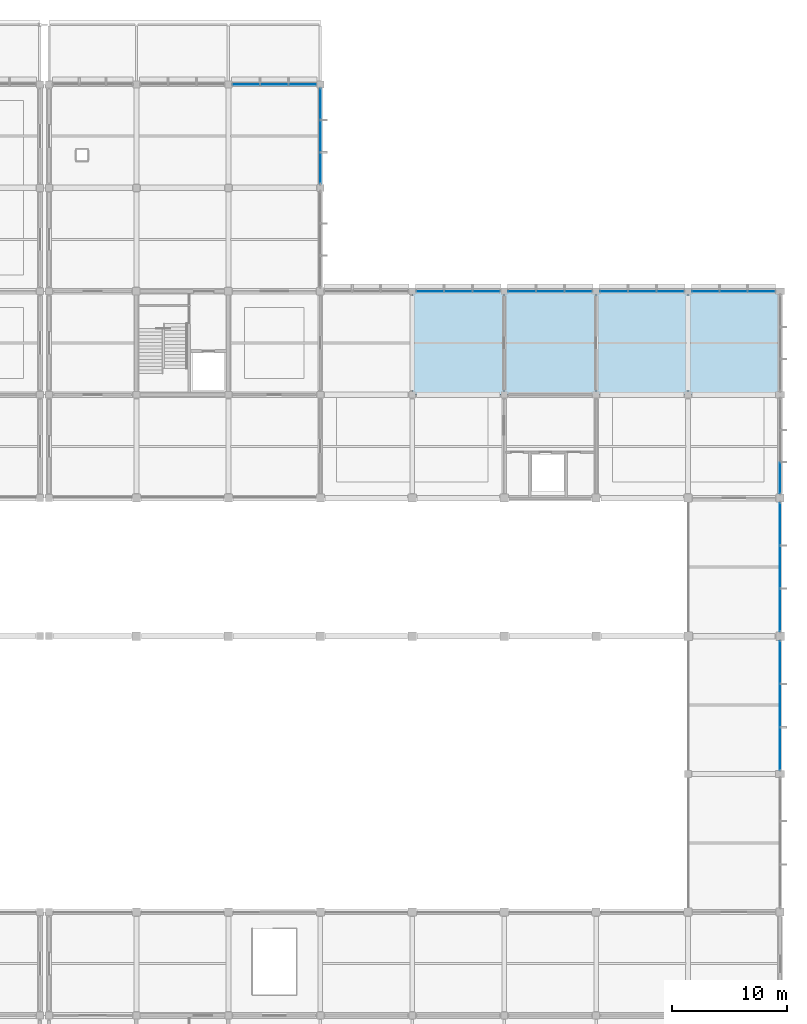
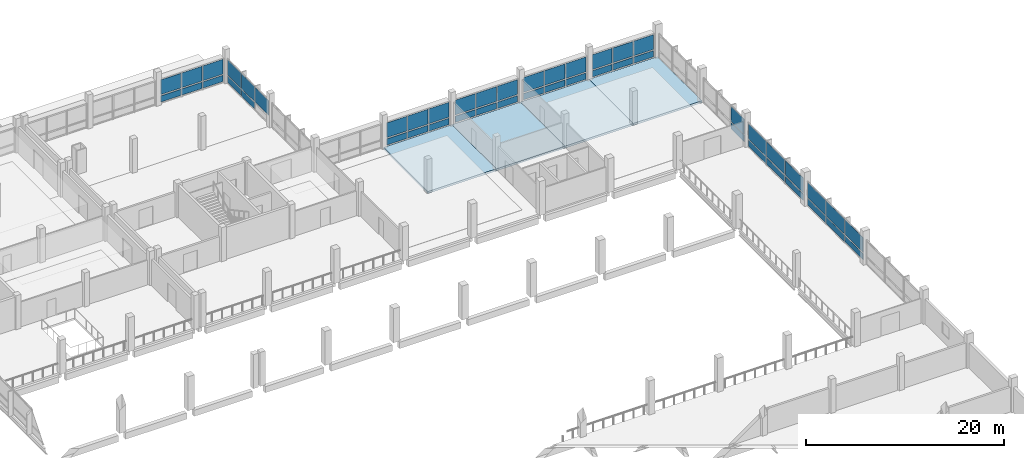
# One storey, part 38 of 57: 49 plates, 4 slabs, 9 elements without a shape of their own.
"""IFC4 building model written with IfcOpenShell, lengths in metres."""

from ifc_helpers import new_model, si_unit, direction, frame, origin, origin_2d, place, context, subcontext, project, spatial, polyline, rectangle, outline, extrude, material, layer, layer_set, type_object, element, aggregate, save


model = new_model("IFC4")

# Units and contexts
model_context = context("Model", 3, precision=1e-05, world=origin(), true_north=direction((0.0, 1.0)))
body_context = subcontext(model_context, "Body", "Model", "MODEL_VIEW")
ifc_project = project(units=[si_unit("LENGTHUNIT", "METRE"), si_unit("AREAUNIT", "SQUARE_METRE"), si_unit("VOLUMEUNIT", "CUBIC_METRE"), si_unit("PLANEANGLEUNIT", "RADIAN"), si_unit("MASSUNIT", "GRAM", prefix="KILO"), si_unit("THERMODYNAMICTEMPERATUREUNIT", "KELVIN"), si_unit("POWERUNIT", "WATT")], contexts=[model_context])

# Site, building, storey
site_placement = place(None, origin())
site = spatial("IfcSite", under=ifc_project, at=site_placement, CompositionType="ELEMENT")
building_placement = place(site_placement, origin())
building = spatial("IfcBuilding", under=site, at=building_placement, Name="Kronsvod Quay Wholesale Market", CompositionType="ELEMENT")
storey_placement = place(building_placement, frame((0.0, 0.0, 4.800048828125)))
storey = spatial("IfcBuildingStorey", under=building, at=storey_placement, Name="L01", CompositionType="ELEMENT", Elevation=4.800048828125)

# Curtain wall, plates
ifc_material_1 = material(Name="Thermally broken aluminium and triple low-E glazing", Category="aluminium")
curtain_wall_type_1 = type_object("IfcCurtainWallType", Name="CW_Forecourt80x33", PredefinedType="NOTDEFINED", material=ifc_material_1)
curtain_wall_1_placement = place(storey_placement, origin())
curtain_wall_1 = element("IfcCurtainWall", 1, at=curtain_wall_1_placement, inside=storey, type_object=curtain_wall_type_1, Name="CWGX-L01-1840-1080", PredefinedType="NOTDEFINED")
ifc_material_2 = material(Name="Insulated aluminium spandrel panel", Category="aluminium")
ifc_layer_1 = layer(ifc_material_2, 0.048095703125)
ifc_layer_set_1 = layer_set([ifc_layer_1], Name="Insulated aluminium spandrel panel")
plate_type_1 = type_object("IfcPlateType", Name="CWPanel_SP2324x775", PredefinedType="CURTAIN_PANEL", material=ifc_layer_set_1)
plate_1_placement = place(storey_placement, frame((190.367919921875, 108.0, 0.14990234375), z_axis=(0.0, 0.0, 1.0), x_axis=(-1.0, 0.0, 0.0)))
plate_1 = element("IfcPlate", 2, at=plate_1_placement, type_object=plate_type_1, Name="CWGX-L01-1840-1080-PS1", PredefinedType="CURTAIN_PANEL", context=body_context, shape_type="SweptSolid", body=[
    extrude(rectangle(XDim=2.323974609375, YDim=0.048095703125, at=origin_2d()), origin(), (0.0, 0.0, 1.0), 0.77490234375),
])
plate_2_placement = place(storey_placement, frame((185.531982421875, 108.0, 0.14990234375), z_axis=(0.0, 0.0, 1.0), x_axis=(-1.0, 0.0, 0.0)))
plate_2 = element("IfcPlate", 3, at=plate_2_placement, type_object=plate_type_1, Name="CWGX-L01-1840-1080-PS3", PredefinedType="CURTAIN_PANEL", context=body_context, shape_type="SweptSolid", body=[
    extrude(rectangle(XDim=2.323974609375, YDim=0.048095703125, at=origin_2d()), origin(), (0.0, 0.0, 1.0), 0.77490234375),
])

curtain_wall_2_placement = place(storey_placement, origin())
curtain_wall_2 = element("IfcCurtainWall", 4, at=curtain_wall_2_placement, inside=storey, type_object=curtain_wall_type_1, Name="CWGX-L01-1600-1080", PredefinedType="NOTDEFINED")
ifc_material_3 = material(Name="Insulated aluminium spandrel panel", Category="aluminium")
ifc_layer_2 = layer(ifc_material_3, 0.048095703125)
ifc_layer_set_2 = layer_set([ifc_layer_2], Name="Insulated aluminium spandrel panel")
plate_type_2 = type_object("IfcPlateType", Name="CWPanel_SP2358x775", PredefinedType="CURTAIN_PANEL", material=ifc_layer_set_2)
plate_3_placement = place(storey_placement, frame((166.451171875, 108.0, 0.14990234375), z_axis=(0.0, 0.0, 1.0), x_axis=(-1.0, 0.0, 0.0)))
plate_3 = element("IfcPlate", 5, at=plate_3_placement, type_object=plate_type_2, Name="CWGX-L01-1600-1080-PS1", PredefinedType="CURTAIN_PANEL", context=body_context, shape_type="SweptSolid", body=[
    extrude(rectangle(XDim=2.35791015625, YDim=0.048095703125, at=origin_2d()), origin(), (0.0, 0.0, 1.0), 0.77490234375),
])
plate_4_placement = place(storey_placement, frame((161.548828125, 108.0, 0.14990234375), z_axis=(0.0, 0.0, 1.0), x_axis=(-1.0, 0.0, 0.0)))
plate_4 = element("IfcPlate", 6, at=plate_4_placement, type_object=plate_type_2, Name="CWGX-L01-1600-1080-PS3", PredefinedType="CURTAIN_PANEL", context=body_context, shape_type="SweptSolid", body=[
    extrude(rectangle(XDim=2.35791015625, YDim=0.048095703125, at=origin_2d()), origin(), (0.0, 0.0, 1.0), 0.77490234375),
])

curtain_wall_3_placement = place(storey_placement, origin())
curtain_wall_3 = element("IfcCurtainWall", 7, at=curtain_wall_3_placement, inside=storey, type_object=curtain_wall_type_1, Name="CWGX-L01-1680-1080", PredefinedType="NOTDEFINED")
plate_5_placement = place(storey_placement, frame((174.451171875, 108.0, 0.14990234375), z_axis=(0.0, 0.0, 1.0), x_axis=(-1.0, 0.0, 0.0)))
plate_5 = element("IfcPlate", 8, at=plate_5_placement, type_object=plate_type_2, Name="CWGX-L01-1680-1080-PS1", PredefinedType="CURTAIN_PANEL", context=body_context, shape_type="SweptSolid", body=[
    extrude(rectangle(XDim=2.35791015625, YDim=0.048095703125, at=origin_2d()), origin(), (0.0, 0.0, 1.0), 0.77490234375),
])
plate_6_placement = place(storey_placement, frame((169.548828125, 108.0, 0.14990234375), z_axis=(0.0, 0.0, 1.0), x_axis=(-1.0, 0.0, 0.0)))
plate_6 = element("IfcPlate", 9, at=plate_6_placement, type_object=plate_type_2, Name="CWGX-L01-1680-1080-PS3", PredefinedType="CURTAIN_PANEL", context=body_context, shape_type="SweptSolid", body=[
    extrude(rectangle(XDim=2.35791015625, YDim=0.048095703125, at=origin_2d()), origin(), (0.0, 0.0, 1.0), 0.77490234375),
])

curtain_wall_4_placement = place(storey_placement, origin())
curtain_wall_4 = element("IfcCurtainWall", 10, at=curtain_wall_4_placement, inside=storey, type_object=curtain_wall_type_1, Name="CWGX-L01-1760-1080", PredefinedType="NOTDEFINED")
plate_7_placement = place(storey_placement, frame((182.451171875, 108.0, 0.14990234375), z_axis=(0.0, 0.0, 1.0), x_axis=(-1.0, 0.0, 0.0)))
plate_7 = element("IfcPlate", 11, at=plate_7_placement, type_object=plate_type_2, Name="CWGX-L01-1760-1080-PS1", PredefinedType="CURTAIN_PANEL", context=body_context, shape_type="SweptSolid", body=[
    extrude(rectangle(XDim=2.35791015625, YDim=0.048095703125, at=origin_2d()), origin(), (0.0, 0.0, 1.0), 0.77490234375),
])
plate_8_placement = place(storey_placement, frame((177.548828125, 108.0, 0.14990234375), z_axis=(0.0, 0.0, 1.0), x_axis=(-1.0, 0.0, 0.0)))
plate_8 = element("IfcPlate", 12, at=plate_8_placement, type_object=plate_type_2, Name="CWGX-L01-1760-1080-PS3", PredefinedType="CURTAIN_PANEL", context=body_context, shape_type="SweptSolid", body=[
    extrude(rectangle(XDim=2.35791015625, YDim=0.048095703125, at=origin_2d()), origin(), (0.0, 0.0, 1.0), 0.77490234375),
])

ifc_material_4 = material(Name="Thermally broken aluminium and triple low-E glazing", Category="aluminium")
curtain_wall_type_2 = type_object("IfcCurtainWallType", Name="CW_Harbour80x33", PredefinedType="NOTDEFINED", material=ifc_material_4)
curtain_wall_5_placement = place(storey_placement, origin())
curtain_wall_5 = element("IfcCurtainWall", 13, at=curtain_wall_5_placement, inside=storey, type_object=curtain_wall_type_2, Name="CWGX-L01-1440-1260", PredefinedType="NOTDEFINED")
plate_9_placement = place(storey_placement, frame((150.451171875, 126.0, 0.14990234375), z_axis=(0.0, 0.0, 1.0), x_axis=(-1.0, 0.0, 0.0)))
plate_9 = element("IfcPlate", 14, at=plate_9_placement, type_object=plate_type_2, Name="CWGX-L01-1440-1260-PS1", PredefinedType="CURTAIN_PANEL", context=body_context, shape_type="SweptSolid", body=[
    extrude(rectangle(XDim=2.35791015625, YDim=0.048095703125, at=origin_2d()), origin(), (0.0, 0.0, 1.0), 0.77490234375),
])
plate_10_placement = place(storey_placement, frame((145.548828125, 126.0, 0.14990234375), z_axis=(0.0, 0.0, 1.0), x_axis=(-1.0, 0.0, 0.0)))
plate_10 = element("IfcPlate", 15, at=plate_10_placement, type_object=plate_type_2, Name="CWGX-L01-1440-1260-PS3", PredefinedType="CURTAIN_PANEL", context=body_context, shape_type="SweptSolid", body=[
    extrude(rectangle(XDim=2.35791015625, YDim=0.048095703125, at=origin_2d()), origin(), (0.0, 0.0, 1.0), 0.77490234375),
])

# Plate
ifc_material_5 = material(Name="Insulated aluminium spandrel panel", Category="aluminium")
ifc_layer_3 = layer(ifc_material_5, 0.048095703125)
ifc_layer_set_3 = layer_set([ifc_layer_3], Name="Insulated aluminium spandrel panel")
plate_type_3 = type_object("IfcPlateType", Name="CWPanel_SP2362x775", PredefinedType="CURTAIN_PANEL", material=ifc_layer_set_3)
plate_11_placement = place(storey_placement, frame((187.949951171875, 108.0, 0.14990234375), z_axis=(0.0, 0.0, 1.0), x_axis=(-1.0, 0.0, 0.0)))
plate_11 = element("IfcPlate", 16, at=plate_11_placement, type_object=plate_type_3, Name="CWGX-L01-1840-1080-PS2", PredefinedType="CURTAIN_PANEL", context=body_context, shape_type="SweptSolid", body=[
    extrude(rectangle(XDim=2.362060546875, YDim=0.048095703125, at=origin_2d()), origin(), (0.0, 0.0, 1.0), 0.77490234375),
])

ifc_material_6 = material(Name="Insulated aluminium spandrel panel", Category="aluminium")
ifc_layer_4 = layer(ifc_material_6, 0.048095703125)
ifc_layer_set_4 = layer_set([ifc_layer_4], Name="Insulated aluminium spandrel panel")
plate_type_4 = type_object("IfcPlateType", Name="CWPanel_SP2395x775", PredefinedType="CURTAIN_PANEL", material=ifc_layer_set_4)
plate_12_placement = place(storey_placement, frame((164.0, 108.0, 0.14990234375), z_axis=(0.0, 0.0, 1.0), x_axis=(-1.0, 0.0, 0.0)))
plate_12 = element("IfcPlate", 17, at=plate_12_placement, type_object=plate_type_4, Name="CWGX-L01-1600-1080-PS2", PredefinedType="CURTAIN_PANEL", context=body_context, shape_type="SweptSolid", body=[
    extrude(rectangle(XDim=2.39501953125, YDim=0.048095703125, at=origin_2d()), origin(), (0.0, 0.0, 1.0), 0.77490234375),
])

plate_13_placement = place(storey_placement, frame((172.0, 108.0, 0.14990234375), z_axis=(0.0, 0.0, 1.0), x_axis=(-1.0, 0.0, 0.0)))
plate_13 = element("IfcPlate", 18, at=plate_13_placement, type_object=plate_type_4, Name="CWGX-L01-1680-1080-PS2", PredefinedType="CURTAIN_PANEL", context=body_context, shape_type="SweptSolid", body=[
    extrude(rectangle(XDim=2.39501953125, YDim=0.048095703125, at=origin_2d()), origin(), (0.0, 0.0, 1.0), 0.77490234375),
])

plate_14_placement = place(storey_placement, frame((180.0, 108.0, 0.14990234375), z_axis=(0.0, 0.0, 1.0), x_axis=(-1.0, 0.0, 0.0)))
plate_14 = element("IfcPlate", 19, at=plate_14_placement, type_object=plate_type_4, Name="CWGX-L01-1760-1080-PS2", PredefinedType="CURTAIN_PANEL", context=body_context, shape_type="SweptSolid", body=[
    extrude(rectangle(XDim=2.39501953125, YDim=0.048095703125, at=origin_2d()), origin(), (0.0, 0.0, 1.0), 0.77490234375),
])

plate_15_placement = place(storey_placement, frame((148.0, 126.0, 0.14990234375), z_axis=(0.0, 0.0, 1.0), x_axis=(-1.0, 0.0, 0.0)))
plate_15 = element("IfcPlate", 20, at=plate_15_placement, type_object=plate_type_4, Name="CWGX-L01-1440-1260-PS2", PredefinedType="CURTAIN_PANEL", context=body_context, shape_type="SweptSolid", body=[
    extrude(rectangle(XDim=2.39501953125, YDim=0.048095703125, at=origin_2d()), origin(), (0.0, 0.0, 1.0), 0.77490234375),
])

# Curtain wall, plate
ifc_material_7 = material(Name="Thermally broken aluminium and triple low-E glazing", Category="aluminium")
curtain_wall_type_3 = type_object("IfcCurtainWallType", Name="CW_Wing90x33", PredefinedType="NOTDEFINED", material=ifc_material_7)
curtain_wall_6_placement = place(storey_placement, origin())
curtain_wall_6 = element("IfcCurtainWall", 21, at=curtain_wall_6_placement, inside=storey, type_object=curtain_wall_type_3, Name="CWGY-L01-1920-900", PredefinedType="NOTDEFINED")
ifc_material_8 = material(Name="Insulated aluminium spandrel panel", Category="aluminium")
ifc_layer_5 = layer(ifc_material_8, 0.048095703125)
ifc_layer_set_5 = layer_set([ifc_layer_5], Name="Insulated aluminium spandrel panel")
plate_type_5 = type_object("IfcPlateType", Name="CWPanel_SP2674x775", PredefinedType="CURTAIN_PANEL", material=ifc_layer_set_5)
plate_16_placement = place(storey_placement, frame((192.0, 91.757080078125, 0.14990234375), z_axis=(0.0, 0.0, 1.0), x_axis=(0.0, 1.0, 0.0)))
plate_16 = element("IfcPlate", 22, at=plate_16_placement, type_object=plate_type_5, Name="CWGY-L01-1920-900-PS1", PredefinedType="CURTAIN_PANEL", context=body_context, shape_type="SweptSolid", body=[
    extrude(rectangle(XDim=2.674072265625, YDim=0.048095703125, at=origin_2d()), origin(), (0.0, 0.0, 1.0), 0.77490234375),
])

# Curtain wall, plates
curtain_wall_7_placement = place(storey_placement, origin())
curtain_wall_7 = element("IfcCurtainWall", 23, at=curtain_wall_7_placement, inside=storey, type_object=curtain_wall_type_3, Name="CWGY-L01-1520-1170", PredefinedType="NOTDEFINED")
ifc_material_9 = material(Name="Insulated aluminium spandrel panel", Category="aluminium")
ifc_layer_6 = layer(ifc_material_9, 0.048095703125)
ifc_layer_set_6 = layer_set([ifc_layer_6], Name="Insulated aluminium spandrel panel")
plate_type_6 = type_object("IfcPlateType", Name="CWPanel_SP2691x775", PredefinedType="CURTAIN_PANEL", material=ifc_layer_set_6)
plate_17_placement = place(storey_placement, frame((152.0, 124.28466796875, 0.14990234375), z_axis=(0.0, 0.0, 1.0), x_axis=(0.0, 1.0, 0.0)))
plate_17 = element("IfcPlate", 24, at=plate_17_placement, type_object=plate_type_6, Name="CWGY-L01-1520-1170-PS3", PredefinedType="CURTAIN_PANEL", context=body_context, shape_type="SweptSolid", body=[
    extrude(rectangle(XDim=2.69091796875, YDim=0.048095703125, at=origin_2d()), origin(), (0.0, 0.0, 1.0), 0.77490234375),
])
ifc_material_10 = material(Name="Insulated aluminium spandrel panel", Category="aluminium")
ifc_layer_7 = layer(ifc_material_10, 0.048095703125)
ifc_layer_set_7 = layer_set([ifc_layer_7], Name="Insulated aluminium spandrel panel")
plate_type_7 = type_object("IfcPlateType", Name="CWPanel_SP2728x775", PredefinedType="CURTAIN_PANEL", material=ifc_layer_set_7)
plate_18_placement = place(storey_placement, frame((152.0, 121.5, 0.14990234375), z_axis=(0.0, 0.0, 1.0), x_axis=(0.0, 1.0, 0.0)))
plate_18 = element("IfcPlate", 25, at=plate_18_placement, type_object=plate_type_7, Name="CWGY-L01-1520-1170-PS2", PredefinedType="CURTAIN_PANEL", context=body_context, shape_type="SweptSolid", body=[
    extrude(rectangle(XDim=2.72802734375, YDim=0.048095703125, at=origin_2d()), origin(), (0.0, 0.0, 1.0), 0.77490234375),
])

ifc_material_11 = material(Name="Thermally broken aluminium and triple low-E glazing", Category="aluminium")
curtain_wall_type_4 = type_object("IfcCurtainWallType", Name="CW_Flower120x32", PredefinedType="NOTDEFINED", material=ifc_material_11)
curtain_wall_8_placement = place(storey_placement, origin())
curtain_wall_8 = element("IfcCurtainWall", 26, at=curtain_wall_8_placement, inside=storey, type_object=curtain_wall_type_4, Name="CWGY-L01-1920-780", PredefinedType="NOTDEFINED")
ifc_material_12 = material(Name="Insulated aluminium spandrel panel", Category="aluminium")
ifc_layer_8 = layer(ifc_material_12, 0.048095703125)
ifc_layer_set_8 = layer_set([ifc_layer_8], Name="Insulated aluminium spandrel panel")
plate_type_8 = type_object("IfcPlateType", Name="CWPanel_SP3649x775", PredefinedType="CURTAIN_PANEL", material=ifc_layer_set_8)
plate_19_placement = place(storey_placement, frame((192.0, 80.26953125, 0.14990234375), z_axis=(0.0, 0.0, 1.0), x_axis=(0.0, 1.0, 0.0)))
plate_19 = element("IfcPlate", 27, at=plate_19_placement, type_object=plate_type_8, Name="CWGY-L01-1920-780-PS1", PredefinedType="CURTAIN_PANEL", context=body_context, shape_type="SweptSolid", body=[
    extrude(rectangle(XDim=3.64892578125, YDim=0.048095703125, at=origin_2d()), origin(), (0.0, 0.0, 1.0), 0.77490234375),
])
plate_20_placement = place(storey_placement, frame((192.0, 87.75537109375, 0.14990234375), z_axis=(0.0, 0.0, 1.0), x_axis=(0.0, 1.0, 0.0)))
plate_20 = element("IfcPlate", 28, at=plate_20_placement, type_object=plate_type_8, Name="CWGY-L01-1920-780-PS3", PredefinedType="CURTAIN_PANEL", context=body_context, shape_type="SweptSolid", body=[
    extrude(rectangle(XDim=3.64892578125, YDim=0.048095703125, at=origin_2d()), origin(), (0.0, 0.0, 1.0), 0.77490234375),
])

curtain_wall_9_placement = place(storey_placement, origin())
curtain_wall_9 = element("IfcCurtainWall", 29, at=curtain_wall_9_placement, inside=storey, type_object=curtain_wall_type_4, Name="CWGY-L01-1920-660", PredefinedType="NOTDEFINED")
ifc_material_13 = material(Name="Insulated aluminium spandrel panel", Category="aluminium")
ifc_layer_9 = layer(ifc_material_13, 0.048095703125)
ifc_layer_set_9 = layer_set([ifc_layer_9], Name="Insulated aluminium spandrel panel")
plate_type_9 = type_object("IfcPlateType", Name="CWPanel_SP3666x775", PredefinedType="CURTAIN_PANEL", material=ifc_layer_set_9)
plate_21_placement = place(storey_placement, frame((192.0, 68.202880859375, 0.14990234375), z_axis=(0.0, 0.0, 1.0), x_axis=(0.0, 1.0, 0.0)))
plate_21 = element("IfcPlate", 30, at=plate_21_placement, type_object=plate_type_9, Name="CWGY-L01-1920-660-PS1", PredefinedType="CURTAIN_PANEL", context=body_context, shape_type="SweptSolid", body=[
    extrude(rectangle(XDim=3.666015625, YDim=0.048095703125, at=origin_2d()), origin(), (0.0, 0.0, 1.0), 0.77490234375),
])
plate_22_placement = place(storey_placement, frame((192.0, 75.72216796875, 0.14990234375), z_axis=(0.0, 0.0, 1.0), x_axis=(0.0, 1.0, 0.0)))
plate_22 = element("IfcPlate", 31, at=plate_22_placement, type_object=plate_type_9, Name="CWGY-L01-1920-660-PS3", PredefinedType="CURTAIN_PANEL", context=body_context, shape_type="SweptSolid", body=[
    extrude(rectangle(XDim=3.666015625, YDim=0.048095703125, at=origin_2d()), origin(), (0.0, 0.0, 1.0), 0.77490234375),
])

# Plate
ifc_material_14 = material(Name="Insulated aluminium spandrel panel", Category="aluminium")
ifc_layer_10 = layer(ifc_material_14, 0.048095703125)
ifc_layer_set_10 = layer_set([ifc_layer_10], Name="Insulated aluminium spandrel panel")
plate_type_10 = type_object("IfcPlateType", Name="CWPanel_SP3687x775", PredefinedType="CURTAIN_PANEL", material=ifc_layer_set_10)
plate_23_placement = place(storey_placement, frame((192.0, 84.012451171875, 0.14990234375), z_axis=(0.0, 0.0, 1.0), x_axis=(0.0, 1.0, 0.0)))
plate_23 = element("IfcPlate", 32, at=plate_23_placement, type_object=plate_type_10, Name="CWGY-L01-1920-780-PS2", PredefinedType="CURTAIN_PANEL", context=body_context, shape_type="SweptSolid", body=[
    extrude(rectangle(XDim=3.68701171875, YDim=0.048095703125, at=origin_2d()), origin(), (0.0, 0.0, 1.0), 0.77490234375),
])

ifc_material_15 = material(Name="Insulated aluminium spandrel panel", Category="aluminium")
ifc_layer_11 = layer(ifc_material_15, 0.048095703125)
ifc_layer_set_11 = layer_set([ifc_layer_11], Name="Insulated aluminium spandrel panel")
plate_type_11 = type_object("IfcPlateType", Name="CWPanel_SP3703x775", PredefinedType="CURTAIN_PANEL", material=ifc_layer_set_11)
plate_24_placement = place(storey_placement, frame((192.0, 71.96240234375, 0.14990234375), z_axis=(0.0, 0.0, 1.0), x_axis=(0.0, 1.0, 0.0)))
plate_24 = element("IfcPlate", 33, at=plate_24_placement, type_object=plate_type_11, Name="CWGY-L01-1920-660-PS2", PredefinedType="CURTAIN_PANEL", context=body_context, shape_type="SweptSolid", body=[
    extrude(rectangle(XDim=3.702880859375, YDim=0.048095703125, at=origin_2d()), origin(), (0.0, 0.0, 1.0), 0.77490234375),
])

ifc_material_16 = material(Name="Triple low-E insulated glazing", Category="glass")
ifc_layer_12 = layer(ifc_material_16, 0.0439453125)
ifc_layer_set_12 = layer_set([ifc_layer_12], Name="Triple low-E insulated glazing")
plate_type_12 = type_object("IfcPlateType", Name="CWPanel_VS2324x1825", PredefinedType="CURTAIN_PANEL", material=ifc_layer_set_12)
plate_25_placement = place(storey_placement, frame((190.367919921875, 108.0, 1.0751953125), z_axis=(0.0, 0.0, 1.0), x_axis=(-1.0, 0.0, 0.0)))
plate_25 = element("IfcPlate", 34, at=plate_25_placement, type_object=plate_type_12, Name="CWGX-L01-1840-1080-PV1", PredefinedType="CURTAIN_PANEL", context=body_context, shape_type="SweptSolid", body=[
    extrude(rectangle(XDim=2.323974609375, YDim=0.0439453125, at=origin_2d()), origin(), (0.0, 0.0, 1.0), 1.824951171875),
])

plate_26_placement = place(storey_placement, frame((185.531982421875, 108.0, 1.0751953125), z_axis=(0.0, 0.0, 1.0), x_axis=(-1.0, 0.0, 0.0)))
plate_26 = element("IfcPlate", 35, at=plate_26_placement, type_object=plate_type_12, Name="CWGX-L01-1840-1080-PV3", PredefinedType="CURTAIN_PANEL", context=body_context, shape_type="SweptSolid", body=[
    extrude(rectangle(XDim=2.323974609375, YDim=0.0439453125, at=origin_2d()), origin(), (0.0, 0.0, 1.0), 1.824951171875),
])

ifc_material_17 = material(Name="Triple low-E insulated glazing", Category="glass")
ifc_layer_13 = layer(ifc_material_17, 0.0439453125)
ifc_layer_set_13 = layer_set([ifc_layer_13], Name="Triple low-E insulated glazing")
plate_type_13 = type_object("IfcPlateType", Name="CWPanel_VS2358x1825", PredefinedType="CURTAIN_PANEL", material=ifc_layer_set_13)
plate_27_placement = place(storey_placement, frame((166.451171875, 108.0, 1.0751953125), z_axis=(0.0, 0.0, 1.0), x_axis=(-1.0, 0.0, 0.0)))
plate_27 = element("IfcPlate", 36, at=plate_27_placement, type_object=plate_type_13, Name="CWGX-L01-1600-1080-PV1", PredefinedType="CURTAIN_PANEL", context=body_context, shape_type="SweptSolid", body=[
    extrude(rectangle(XDim=2.35791015625, YDim=0.0439453125, at=origin_2d()), origin(), (0.0, 0.0, 1.0), 1.824951171875),
])

plate_28_placement = place(storey_placement, frame((161.548828125, 108.0, 1.0751953125), z_axis=(0.0, 0.0, 1.0), x_axis=(-1.0, 0.0, 0.0)))
plate_28 = element("IfcPlate", 37, at=plate_28_placement, type_object=plate_type_13, Name="CWGX-L01-1600-1080-PV3", PredefinedType="CURTAIN_PANEL", context=body_context, shape_type="SweptSolid", body=[
    extrude(rectangle(XDim=2.35791015625, YDim=0.0439453125, at=origin_2d()), origin(), (0.0, 0.0, 1.0), 1.824951171875),
])

plate_29_placement = place(storey_placement, frame((174.451171875, 108.0, 1.0751953125), z_axis=(0.0, 0.0, 1.0), x_axis=(-1.0, 0.0, 0.0)))
plate_29 = element("IfcPlate", 38, at=plate_29_placement, type_object=plate_type_13, Name="CWGX-L01-1680-1080-PV1", PredefinedType="CURTAIN_PANEL", context=body_context, shape_type="SweptSolid", body=[
    extrude(rectangle(XDim=2.35791015625, YDim=0.0439453125, at=origin_2d()), origin(), (0.0, 0.0, 1.0), 1.824951171875),
])

plate_30_placement = place(storey_placement, frame((169.548828125, 108.0, 1.0751953125), z_axis=(0.0, 0.0, 1.0), x_axis=(-1.0, 0.0, 0.0)))
plate_30 = element("IfcPlate", 39, at=plate_30_placement, type_object=plate_type_13, Name="CWGX-L01-1680-1080-PV3", PredefinedType="CURTAIN_PANEL", context=body_context, shape_type="SweptSolid", body=[
    extrude(rectangle(XDim=2.35791015625, YDim=0.0439453125, at=origin_2d()), origin(), (0.0, 0.0, 1.0), 1.824951171875),
])

plate_31_placement = place(storey_placement, frame((182.451171875, 108.0, 1.0751953125), z_axis=(0.0, 0.0, 1.0), x_axis=(-1.0, 0.0, 0.0)))
plate_31 = element("IfcPlate", 40, at=plate_31_placement, type_object=plate_type_13, Name="CWGX-L01-1760-1080-PV1", PredefinedType="CURTAIN_PANEL", context=body_context, shape_type="SweptSolid", body=[
    extrude(rectangle(XDim=2.35791015625, YDim=0.0439453125, at=origin_2d()), origin(), (0.0, 0.0, 1.0), 1.824951171875),
])

plate_32_placement = place(storey_placement, frame((177.548828125, 108.0, 1.0751953125), z_axis=(0.0, 0.0, 1.0), x_axis=(-1.0, 0.0, 0.0)))
plate_32 = element("IfcPlate", 41, at=plate_32_placement, type_object=plate_type_13, Name="CWGX-L01-1760-1080-PV3", PredefinedType="CURTAIN_PANEL", context=body_context, shape_type="SweptSolid", body=[
    extrude(rectangle(XDim=2.35791015625, YDim=0.0439453125, at=origin_2d()), origin(), (0.0, 0.0, 1.0), 1.824951171875),
])

plate_33_placement = place(storey_placement, frame((150.451171875, 126.0, 1.0751953125), z_axis=(0.0, 0.0, 1.0), x_axis=(-1.0, 0.0, 0.0)))
plate_33 = element("IfcPlate", 42, at=plate_33_placement, type_object=plate_type_13, Name="CWGX-L01-1440-1260-PV1", PredefinedType="CURTAIN_PANEL", context=body_context, shape_type="SweptSolid", body=[
    extrude(rectangle(XDim=2.35791015625, YDim=0.0439453125, at=origin_2d()), origin(), (0.0, 0.0, 1.0), 1.824951171875),
])

plate_34_placement = place(storey_placement, frame((145.548828125, 126.0, 1.0751953125), z_axis=(0.0, 0.0, 1.0), x_axis=(-1.0, 0.0, 0.0)))
plate_34 = element("IfcPlate", 43, at=plate_34_placement, type_object=plate_type_13, Name="CWGX-L01-1440-1260-PV3", PredefinedType="CURTAIN_PANEL", context=body_context, shape_type="SweptSolid", body=[
    extrude(rectangle(XDim=2.35791015625, YDim=0.0439453125, at=origin_2d()), origin(), (0.0, 0.0, 1.0), 1.824951171875),
])

ifc_material_18 = material(Name="Triple low-E insulated glazing", Category="glass")
ifc_layer_14 = layer(ifc_material_18, 0.0439453125)
ifc_layer_set_14 = layer_set([ifc_layer_14], Name="Triple low-E insulated glazing")
plate_type_14 = type_object("IfcPlateType", Name="CWPanel_VS2362x1825", PredefinedType="CURTAIN_PANEL", material=ifc_layer_set_14)
plate_35_placement = place(storey_placement, frame((187.949951171875, 108.0, 1.0751953125), z_axis=(0.0, 0.0, 1.0), x_axis=(-1.0, 0.0, 0.0)))
plate_35 = element("IfcPlate", 44, at=plate_35_placement, type_object=plate_type_14, Name="CWGX-L01-1840-1080-PV2", PredefinedType="CURTAIN_PANEL", context=body_context, shape_type="SweptSolid", body=[
    extrude(rectangle(XDim=2.362060546875, YDim=0.0439453125, at=origin_2d()), origin(), (0.0, 0.0, 1.0), 1.824951171875),
])

aggregate(curtain_wall_1, [plate_1, plate_25, plate_11, plate_35, plate_2, plate_26])

ifc_material_19 = material(Name="Triple low-E insulated glazing", Category="glass")
ifc_layer_15 = layer(ifc_material_19, 0.0439453125)
ifc_layer_set_15 = layer_set([ifc_layer_15], Name="Triple low-E insulated glazing")
plate_type_15 = type_object("IfcPlateType", Name="CWPanel_VS2395x1825", PredefinedType="CURTAIN_PANEL", material=ifc_layer_set_15)
plate_36_placement = place(storey_placement, frame((164.0, 108.0, 1.0751953125), z_axis=(0.0, 0.0, 1.0), x_axis=(-1.0, 0.0, 0.0)))
plate_36 = element("IfcPlate", 45, at=plate_36_placement, type_object=plate_type_15, Name="CWGX-L01-1600-1080-PV2", PredefinedType="CURTAIN_PANEL", context=body_context, shape_type="SweptSolid", body=[
    extrude(rectangle(XDim=2.39501953125, YDim=0.0439453125, at=origin_2d()), origin(), (0.0, 0.0, 1.0), 1.824951171875),
])

aggregate(curtain_wall_2, [plate_3, plate_27, plate_12, plate_36, plate_4, plate_28])

plate_37_placement = place(storey_placement, frame((172.0, 108.0, 1.0751953125), z_axis=(0.0, 0.0, 1.0), x_axis=(-1.0, 0.0, 0.0)))
plate_37 = element("IfcPlate", 46, at=plate_37_placement, type_object=plate_type_15, Name="CWGX-L01-1680-1080-PV2", PredefinedType="CURTAIN_PANEL", context=body_context, shape_type="SweptSolid", body=[
    extrude(rectangle(XDim=2.39501953125, YDim=0.0439453125, at=origin_2d()), origin(), (0.0, 0.0, 1.0), 1.824951171875),
])

aggregate(curtain_wall_3, [plate_5, plate_29, plate_13, plate_37, plate_6, plate_30])

plate_38_placement = place(storey_placement, frame((180.0, 108.0, 1.0751953125), z_axis=(0.0, 0.0, 1.0), x_axis=(-1.0, 0.0, 0.0)))
plate_38 = element("IfcPlate", 47, at=plate_38_placement, type_object=plate_type_15, Name="CWGX-L01-1760-1080-PV2", PredefinedType="CURTAIN_PANEL", context=body_context, shape_type="SweptSolid", body=[
    extrude(rectangle(XDim=2.39501953125, YDim=0.0439453125, at=origin_2d()), origin(), (0.0, 0.0, 1.0), 1.824951171875),
])

aggregate(curtain_wall_4, [plate_7, plate_31, plate_14, plate_38, plate_8, plate_32])

plate_39_placement = place(storey_placement, frame((148.0, 126.0, 1.0751953125), z_axis=(0.0, 0.0, 1.0), x_axis=(-1.0, 0.0, 0.0)))
plate_39 = element("IfcPlate", 48, at=plate_39_placement, type_object=plate_type_15, Name="CWGX-L01-1440-1260-PV2", PredefinedType="CURTAIN_PANEL", context=body_context, shape_type="SweptSolid", body=[
    extrude(rectangle(XDim=2.39501953125, YDim=0.0439453125, at=origin_2d()), origin(), (0.0, 0.0, 1.0), 1.824951171875),
])

aggregate(curtain_wall_5, [plate_9, plate_33, plate_15, plate_39, plate_10, plate_34])

ifc_material_20 = material(Name="Triple low-E insulated glazing", Category="glass")
ifc_layer_16 = layer(ifc_material_20, 0.0439453125)
ifc_layer_set_16 = layer_set([ifc_layer_16], Name="Triple low-E insulated glazing")
plate_type_16 = type_object("IfcPlateType", Name="CWPanel_VS2674x1825", PredefinedType="CURTAIN_PANEL", material=ifc_layer_set_16)
plate_40_placement = place(storey_placement, frame((192.0, 91.757080078125, 1.0751953125), z_axis=(0.0, 0.0, 1.0), x_axis=(0.0, 1.0, 0.0)))
plate_40 = element("IfcPlate", 49, at=plate_40_placement, type_object=plate_type_16, Name="CWGY-L01-1920-900-PV1", PredefinedType="CURTAIN_PANEL", context=body_context, shape_type="SweptSolid", body=[
    extrude(rectangle(XDim=2.674072265625, YDim=0.0439453125, at=origin_2d()), origin(), (0.0, 0.0, 1.0), 1.824951171875),
])

aggregate(curtain_wall_6, [plate_16, plate_40])

ifc_material_21 = material(Name="Triple low-E insulated glazing", Category="glass")
ifc_layer_17 = layer(ifc_material_21, 0.0439453125)
ifc_layer_set_17 = layer_set([ifc_layer_17], Name="Triple low-E insulated glazing")
plate_type_17 = type_object("IfcPlateType", Name="CWPanel_VS2691x1825", PredefinedType="CURTAIN_PANEL", material=ifc_layer_set_17)
plate_41_placement = place(storey_placement, frame((152.0, 118.71533203125, 1.0751953125), z_axis=(0.0, 0.0, 1.0), x_axis=(0.0, 1.0, 0.0)))
plate_41 = element("IfcPlate", 50, at=plate_41_placement, type_object=plate_type_17, Name="CWGY-L01-1520-1170-PV1", PredefinedType="CURTAIN_PANEL", context=body_context, shape_type="SweptSolid", body=[
    extrude(rectangle(XDim=2.69091796875, YDim=0.0439453125, at=origin_2d()), origin(), (0.0, 0.0, 1.0), 1.824951171875),
])

plate_42_placement = place(storey_placement, frame((152.0, 124.28466796875, 1.0751953125), z_axis=(0.0, 0.0, 1.0), x_axis=(0.0, 1.0, 0.0)))
plate_42 = element("IfcPlate", 51, at=plate_42_placement, type_object=plate_type_17, Name="CWGY-L01-1520-1170-PV3", PredefinedType="CURTAIN_PANEL", context=body_context, shape_type="SweptSolid", body=[
    extrude(rectangle(XDim=2.69091796875, YDim=0.0439453125, at=origin_2d()), origin(), (0.0, 0.0, 1.0), 1.824951171875),
])

ifc_material_22 = material(Name="Triple low-E insulated glazing", Category="glass")
ifc_layer_18 = layer(ifc_material_22, 0.0439453125)
ifc_layer_set_18 = layer_set([ifc_layer_18], Name="Triple low-E insulated glazing")
plate_type_18 = type_object("IfcPlateType", Name="CWPanel_VS2728x1825", PredefinedType="CURTAIN_PANEL", material=ifc_layer_set_18)
plate_43_placement = place(storey_placement, frame((152.0, 121.5, 1.0751953125), z_axis=(0.0, 0.0, 1.0), x_axis=(0.0, 1.0, 0.0)))
plate_43 = element("IfcPlate", 52, at=plate_43_placement, type_object=plate_type_18, Name="CWGY-L01-1520-1170-PV2", PredefinedType="CURTAIN_PANEL", context=body_context, shape_type="SweptSolid", body=[
    extrude(rectangle(XDim=2.72802734375, YDim=0.0439453125, at=origin_2d()), origin(), (0.0, 0.0, 1.0), 1.824951171875),
])

aggregate(curtain_wall_7, [plate_41, plate_18, plate_43, plate_17, plate_42])

ifc_material_23 = material(Name="Triple low-E insulated glazing", Category="glass")
ifc_layer_19 = layer(ifc_material_23, 0.0439453125)
ifc_layer_set_19 = layer_set([ifc_layer_19], Name="Triple low-E insulated glazing")
plate_type_19 = type_object("IfcPlateType", Name="CWPanel_VS3649x1825", PredefinedType="CURTAIN_PANEL", material=ifc_layer_set_19)
plate_44_placement = place(storey_placement, frame((192.0, 80.26953125, 1.0751953125), z_axis=(0.0, 0.0, 1.0), x_axis=(0.0, 1.0, 0.0)))
plate_44 = element("IfcPlate", 53, at=plate_44_placement, type_object=plate_type_19, Name="CWGY-L01-1920-780-PV1", PredefinedType="CURTAIN_PANEL", context=body_context, shape_type="SweptSolid", body=[
    extrude(rectangle(XDim=3.64892578125, YDim=0.0439453125, at=origin_2d()), origin(), (0.0, 0.0, 1.0), 1.824951171875),
])

plate_45_placement = place(storey_placement, frame((192.0, 87.75537109375, 1.0751953125), z_axis=(0.0, 0.0, 1.0), x_axis=(0.0, 1.0, 0.0)))
plate_45 = element("IfcPlate", 54, at=plate_45_placement, type_object=plate_type_19, Name="CWGY-L01-1920-780-PV3", PredefinedType="CURTAIN_PANEL", context=body_context, shape_type="SweptSolid", body=[
    extrude(rectangle(XDim=3.64892578125, YDim=0.0439453125, at=origin_2d()), origin(), (0.0, 0.0, 1.0), 1.824951171875),
])

ifc_material_24 = material(Name="Triple low-E insulated glazing", Category="glass")
ifc_layer_20 = layer(ifc_material_24, 0.0439453125)
ifc_layer_set_20 = layer_set([ifc_layer_20], Name="Triple low-E insulated glazing")
plate_type_20 = type_object("IfcPlateType", Name="CWPanel_VS3666x1825", PredefinedType="CURTAIN_PANEL", material=ifc_layer_set_20)
plate_46_placement = place(storey_placement, frame((192.0, 68.202880859375, 1.0751953125), z_axis=(0.0, 0.0, 1.0), x_axis=(0.0, 1.0, 0.0)))
plate_46 = element("IfcPlate", 55, at=plate_46_placement, type_object=plate_type_20, Name="CWGY-L01-1920-660-PV1", PredefinedType="CURTAIN_PANEL", context=body_context, shape_type="SweptSolid", body=[
    extrude(rectangle(XDim=3.666015625, YDim=0.0439453125, at=origin_2d()), origin(), (0.0, 0.0, 1.0), 1.824951171875),
])

plate_47_placement = place(storey_placement, frame((192.0, 75.72216796875, 1.0751953125), z_axis=(0.0, 0.0, 1.0), x_axis=(0.0, 1.0, 0.0)))
plate_47 = element("IfcPlate", 56, at=plate_47_placement, type_object=plate_type_20, Name="CWGY-L01-1920-660-PV3", PredefinedType="CURTAIN_PANEL", context=body_context, shape_type="SweptSolid", body=[
    extrude(rectangle(XDim=3.666015625, YDim=0.0439453125, at=origin_2d()), origin(), (0.0, 0.0, 1.0), 1.824951171875),
])

ifc_material_25 = material(Name="Triple low-E insulated glazing", Category="glass")
ifc_layer_21 = layer(ifc_material_25, 0.0439453125)
ifc_layer_set_21 = layer_set([ifc_layer_21], Name="Triple low-E insulated glazing")
plate_type_21 = type_object("IfcPlateType", Name="CWPanel_VS3687x1825", PredefinedType="CURTAIN_PANEL", material=ifc_layer_set_21)
plate_48_placement = place(storey_placement, frame((192.0, 84.012451171875, 1.0751953125), z_axis=(0.0, 0.0, 1.0), x_axis=(0.0, 1.0, 0.0)))
plate_48 = element("IfcPlate", 57, at=plate_48_placement, type_object=plate_type_21, Name="CWGY-L01-1920-780-PV2", PredefinedType="CURTAIN_PANEL", context=body_context, shape_type="SweptSolid", body=[
    extrude(rectangle(XDim=3.68701171875, YDim=0.0439453125, at=origin_2d()), origin(), (0.0, 0.0, 1.0), 1.824951171875),
])

aggregate(curtain_wall_8, [plate_19, plate_44, plate_23, plate_48, plate_20, plate_45])

ifc_material_26 = material(Name="Triple low-E insulated glazing", Category="glass")
ifc_layer_22 = layer(ifc_material_26, 0.0439453125)
ifc_layer_set_22 = layer_set([ifc_layer_22], Name="Triple low-E insulated glazing")
plate_type_22 = type_object("IfcPlateType", Name="CWPanel_VS3703x1825", PredefinedType="CURTAIN_PANEL", material=ifc_layer_set_22)
plate_49_placement = place(storey_placement, frame((192.0, 71.96240234375, 1.0751953125), z_axis=(0.0, 0.0, 1.0), x_axis=(0.0, 1.0, 0.0)))
plate_49 = element("IfcPlate", 58, at=plate_49_placement, type_object=plate_type_22, Name="CWGY-L01-1920-660-PV2", PredefinedType="CURTAIN_PANEL", context=body_context, shape_type="SweptSolid", body=[
    extrude(rectangle(XDim=3.702880859375, YDim=0.0439453125, at=origin_2d()), origin(), (0.0, 0.0, 1.0), 1.824951171875),
])

aggregate(curtain_wall_9, [plate_21, plate_46, plate_24, plate_49, plate_22, plate_47])

# Slabs
ifc_material_27 = material(Name="Concrete C35/45", Category="concrete")
ifc_layer_23 = layer(ifc_material_27, 0.25)
ifc_layer_set_23 = layer_set([ifc_layer_23], Name="Concrete C35/45")
slab_type = type_object("IfcSlabType", Name="Slab_Floor250", PredefinedType="FLOOR", material=ifc_layer_set_23)
slab_1_placement = place(storey_placement, frame((0.0, 0.0, -0.25)))
element("IfcSlab", 59, at=slab_1_placement, inside=storey, type_object=slab_type, Name="SLB-L01-084", PredefinedType="FLOOR", context=body_context, shape_type="SweptSolid", body=[
    extrude(outline(polyline([(160.0, 99.0), (168.0, 99.0), (168.0, 108.0), (160.0, 108.0), (160.0, 99.0)])), origin(), (0.0, 0.0, 1.0), 0.25),
])
slab_2_placement = place(storey_placement, frame((0.0, 0.0, -0.25)))
element("IfcSlab", 60, at=slab_2_placement, inside=storey, type_object=slab_type, Name="SLB-L01-085", PredefinedType="FLOOR", context=body_context, shape_type="SweptSolid", body=[
    extrude(outline(polyline([(168.0, 99.0), (176.0, 99.0), (176.0, 108.0), (168.0, 108.0), (168.0, 99.0)])), origin(), (0.0, 0.0, 1.0), 0.25),
])
slab_3_placement = place(storey_placement, frame((0.0, 0.0, -0.25)))
element("IfcSlab", 61, at=slab_3_placement, inside=storey, type_object=slab_type, Name="SLB-L01-086", PredefinedType="FLOOR", context=body_context, shape_type="SweptSolid", body=[
    extrude(outline(polyline([(176.0, 99.0), (184.0, 99.0), (184.0, 108.0), (176.0, 108.0), (176.0, 99.0)])), origin(), (0.0, 0.0, 1.0), 0.25),
])
slab_4_placement = place(storey_placement, frame((0.0, 0.0, -0.25)))
element("IfcSlab", 62, at=slab_4_placement, inside=storey, type_object=slab_type, Name="SLB-L01-087", PredefinedType="FLOOR", context=body_context, shape_type="SweptSolid", body=[
    extrude(outline(polyline([(184.0, 99.0), (192.0, 99.0), (192.0, 108.0), (184.0, 108.0), (184.0, 99.0)])), origin(), (0.0, 0.0, 1.0), 0.25),
])

save(model, "model.ifc")
